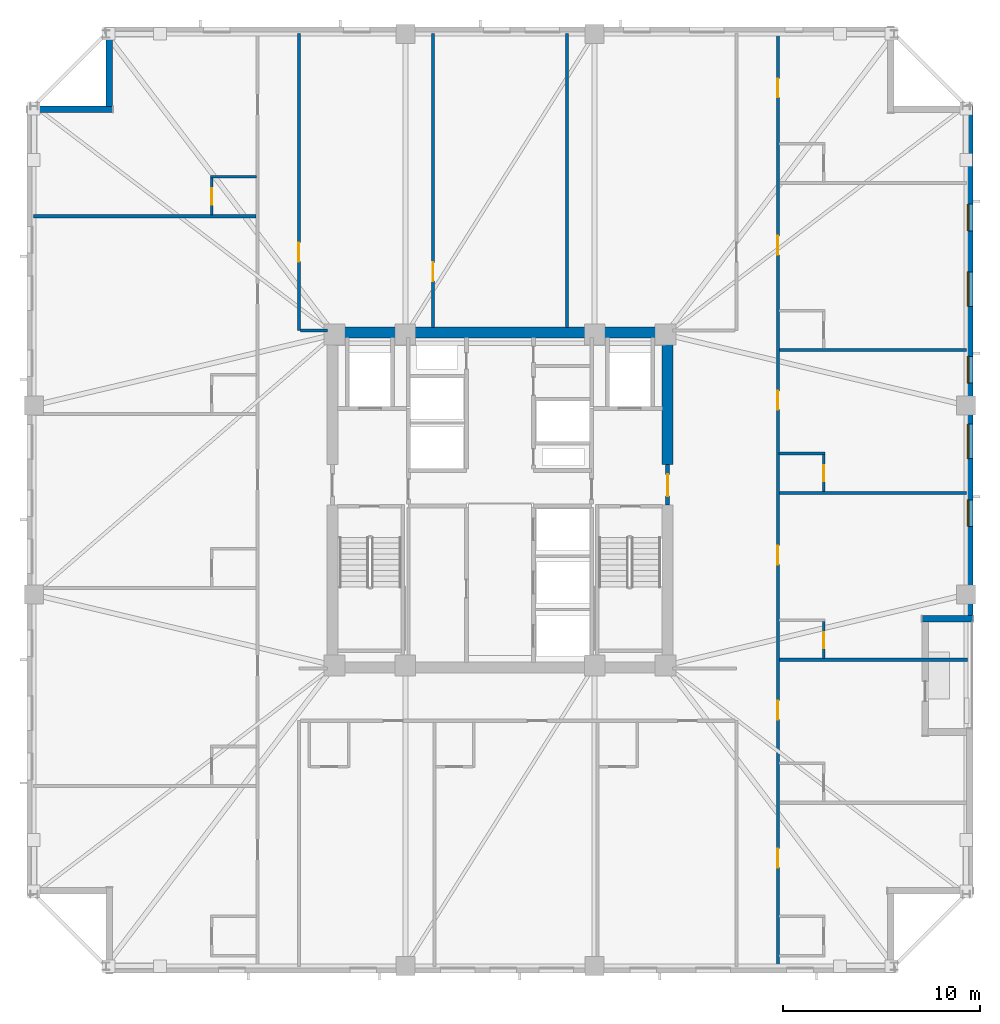
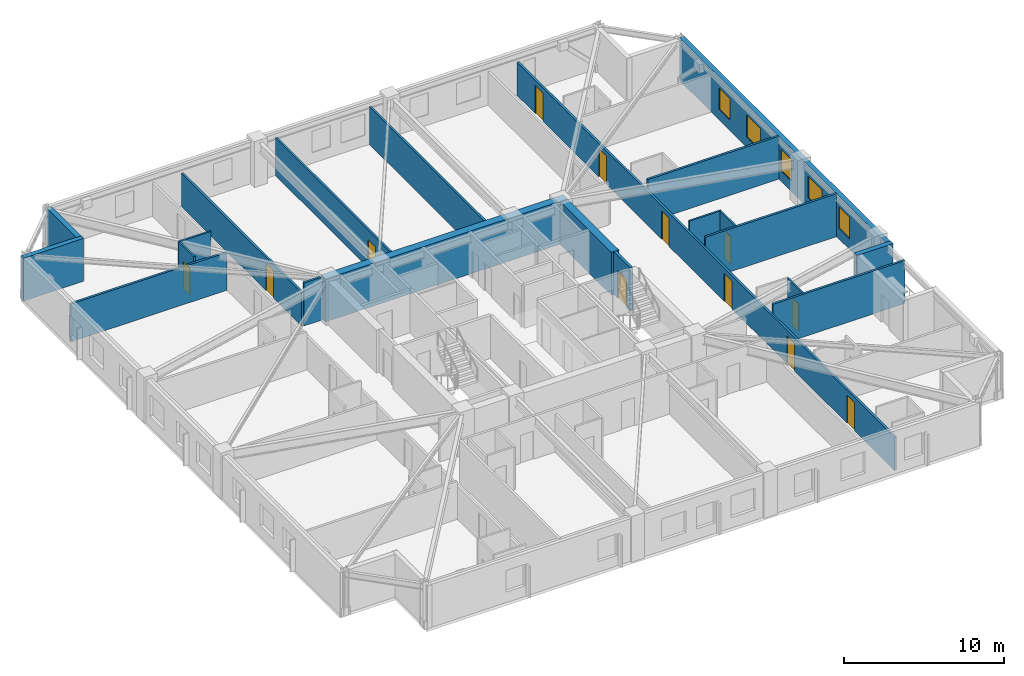
# One storey, part 5 of 11: 21 walls, 12 doors, 5 windows, 17 openings.
"""IFC4 building model written with IfcOpenShell, lengths in metres."""

from ifc_helpers import new_model, si_unit, direction, frame, frame_2d, origin, place, context, subcontext, project, spatial, rectangle, extrude, material, layer, layer_set, type_object, element, fill, save


model = new_model("IFC4")

# Units and contexts
model_context = context("Model", 3, precision=1e-05, world=origin(), true_north=direction((0.0, 1.0)))
body_context = subcontext(model_context, "Body", "Model", "MODEL_VIEW")
ifc_project = project(units=[si_unit("LENGTHUNIT", "METRE"), si_unit("AREAUNIT", "SQUARE_METRE"), si_unit("VOLUMEUNIT", "CUBIC_METRE"), si_unit("PLANEANGLEUNIT", "RADIAN"), si_unit("MASSUNIT", "GRAM", prefix="KILO")], contexts=[model_context])

# Site, building, storey
site_placement = place(None, origin())
site = spatial("IfcSite", under=ifc_project, at=site_placement, CompositionType="ELEMENT")
building_placement = place(site_placement, origin())
building = spatial("IfcBuilding", under=site, at=building_placement, Name="Cairnveth Concourse Tower", CompositionType="ELEMENT")
storey_placement = place(building_placement, frame((0.0, 0.0, 176.0)))
storey = spatial("IfcBuildingStorey", under=building, at=storey_placement, Name="L48", CompositionType="ELEMENT", Elevation=176.0)

# Wall, opening, door
ifc_material_1 = material(Name="Gypsum Plasterboard Partition", Category="gypsum")
ifc_layer_1 = layer(ifc_material_1, 0.159912109375)
ifc_layer_set_1 = layer_set([ifc_layer_1], Name="Gypsum Plasterboard Partition")
wall_type_1 = type_object("IfcWallType", Name="ACOUSTIC PARTY WALL 180", PredefinedType="PARTITIONING", material=ifc_layer_set_1)
wall_1_placement = place(storey_placement, frame((41.800048828125, 47.60009765625, 0.0), z_axis=(0.0, 0.0, 1.0), x_axis=(0.0, 1.0, 0.0)))
wall_1 = element("IfcWall", 1, at=wall_1_placement, inside=storey, type_object=wall_type_1, Name="Interior Wall IW-L48-038", PredefinedType="PARTITIONING", context=body_context, shape_type="SweptSolid", body=[
    extrude(rectangle(XDim=15.074951171875, YDim=0.159912109375, at=frame_2d((7.53759765625, 0.0))), origin(), (0.0, 0.0, 1.0), 2.554931640625),
])
opening_1_placement = place(wall_1_placement, frame((3.5, 0.0, 0.0)))
opening_1 = element("IfcOpeningElement", 2, at=opening_1_placement, cuts=wall_1, Name="Opening ID11", PredefinedType="OPENING", context=body_context, shape_type="SweptSolid", body=[
    extrude(rectangle(XDim=0.9599609375, YDim=2.1201171875, at=frame_2d((0.47998046875, 1.06005859375))), frame((0.0, 0.08984375, 0.0), z_axis=(0.0, -1.0, 0.0), x_axis=(1.0, 0.0, 0.0)), (0.0, 0.0, 1.0), 0.179931640625),
])
ifc_material_2 = material(Name="Solid Core Hardwood Timber Leaf", Category="wood")
door_type_1 = type_object("IfcDoorType", Name="INTERIOR SINGLE DOOR 960X2150", OperationType="NOTDEFINED", PredefinedType="DOOR", material=ifc_material_2)
door_1_placement = place(opening_1_placement, origin())
door_1 = element("IfcDoor", 3, at=door_1_placement, inside=storey, type_object=door_type_1, Name="Interior Door DR-L48-015", OperationType="SINGLE_SWING_LEFT", OverallHeight=2.1201171875, OverallWidth=0.9599609375, PredefinedType="DOOR", context=body_context, shape_type="SweptSolid", body=[
    extrude(rectangle(XDim=0.9599609375, YDim=2.1201171875, at=frame_2d((0.47998046875, 1.06005859375))), frame((0.0, 0.02490234375, 0.0), z_axis=(0.0, -1.0, 0.0), x_axis=(1.0, 0.0, 0.0)), (0.0, 0.0, 1.0), 0.050048828125),
])
fill(opening_1, door_1)

# Wall
wall_2_placement = place(storey_placement, frame((41.864990234375, 47.60009765625, 0.0), z_axis=(0.0, 0.0, 1.0), x_axis=(1.0, 0.0, 0.0)))
element("IfcWall", 4, at=wall_2_placement, inside=storey, type_object=wall_type_1, Name="Interior Wall IW-L48-040", PredefinedType="PARTITIONING", context=body_context, shape_type="SweptSolid", body=[
    extrude(rectangle(XDim=1.3701171875, YDim=0.159912109375, at=frame_2d((0.68505859375, 0.0))), origin(), (0.0, 0.0, 1.0), 3.280029296875),
])

# Wall, openings, doors
wall_3_placement = place(storey_placement, frame((66.10009765625, 15.324951171875, 0.0), z_axis=(0.0, 0.0, 1.0), x_axis=(0.0, 1.0, 0.0)))
wall_3 = element("IfcWall", 5, at=wall_3_placement, inside=storey, type_object=wall_type_1, Name="Interior Wall IW-L48-041", PredefinedType="PARTITIONING", context=body_context, shape_type="SweptSolid", body=[
    extrude(rectangle(XDim=47.35009765625, YDim=0.159912109375, at=frame_2d((23.675048828125, 0.0))), origin(), (0.0, 0.0, 1.0), 2.554931640625),
])
opening_2_placement = place(wall_3_placement, frame((5.024658203125, 0.0, 0.0)))
opening_2 = element("IfcOpeningElement", 6, at=opening_2_placement, cuts=wall_3, Name="Opening ID09", PredefinedType="OPENING", context=body_context, shape_type="SweptSolid", body=[
    extrude(rectangle(XDim=0.9599609375, YDim=2.14990234375, at=frame_2d((0.47998046875, 1.074951171875))), frame((0.0, 0.08984375, 0.0), z_axis=(0.0, -1.0, 0.0), x_axis=(1.0, 0.0, 0.0)), (0.0, 0.0, 1.0), 0.179931640625),
])
opening_3_placement = place(wall_3_placement, frame((12.535400390625, 0.0, 0.0)))
opening_3 = element("IfcOpeningElement", 7, at=opening_3_placement, cuts=wall_3, Name="Opening ID09", PredefinedType="OPENING", context=body_context, shape_type="SweptSolid", body=[
    extrude(rectangle(XDim=0.9599609375, YDim=2.14990234375, at=frame_2d((0.47998046875, 1.074951171875))), frame((0.0, 0.08984375, 0.0), z_axis=(0.0, -1.0, 0.0), x_axis=(1.0, 0.0, 0.0)), (0.0, 0.0, 1.0), 0.179931640625),
])
opening_4_placement = place(wall_3_placement, frame((20.395263671875, 0.0, 0.0)))
opening_4 = element("IfcOpeningElement", 8, at=opening_4_placement, cuts=wall_3, Name="Opening ID09", PredefinedType="OPENING", context=body_context, shape_type="SweptSolid", body=[
    extrude(rectangle(XDim=0.9599609375, YDim=2.14990234375, at=frame_2d((0.47998046875, 1.074951171875))), frame((0.0, 0.08984375, 0.0), z_axis=(0.0, -1.0, 0.0), x_axis=(1.0, 0.0, 0.0)), (0.0, 0.0, 1.0), 0.179931640625),
])
opening_5_placement = place(wall_3_placement, frame((28.255126953125, 0.0, 0.0)))
opening_5 = element("IfcOpeningElement", 9, at=opening_5_placement, cuts=wall_3, Name="Opening ID09", PredefinedType="OPENING", context=body_context, shape_type="SweptSolid", body=[
    extrude(rectangle(XDim=0.9599609375, YDim=2.14990234375, at=frame_2d((0.47998046875, 1.074951171875))), frame((0.0, 0.08984375, 0.0), z_axis=(0.0, -1.0, 0.0), x_axis=(1.0, 0.0, 0.0)), (0.0, 0.0, 1.0), 0.179931640625),
])
opening_6_placement = place(wall_3_placement, frame((36.115234375, 0.0, 0.0)))
opening_6 = element("IfcOpeningElement", 10, at=opening_6_placement, cuts=wall_3, Name="Opening ID09", PredefinedType="OPENING", context=body_context, shape_type="SweptSolid", body=[
    extrude(rectangle(XDim=0.9599609375, YDim=2.14990234375, at=frame_2d((0.47998046875, 1.074951171875))), frame((0.0, 0.08984375, 0.0), z_axis=(0.0, -1.0, 0.0), x_axis=(1.0, 0.0, 0.0)), (0.0, 0.0, 1.0), 0.179931640625),
])
opening_7_placement = place(wall_3_placement, frame((44.099609375, 0.0, 0.0)))
opening_7 = element("IfcOpeningElement", 11, at=opening_7_placement, cuts=wall_3, Name="Opening ID09", PredefinedType="OPENING", context=body_context, shape_type="SweptSolid", body=[
    extrude(rectangle(XDim=0.9599609375, YDim=2.14990234375, at=frame_2d((0.47998046875, 1.074951171875))), frame((0.0, 0.08984375, 0.0), z_axis=(0.0, -1.0, 0.0), x_axis=(1.0, 0.0, 0.0)), (0.0, 0.0, 1.0), 0.179931640625),
])
door_type_2 = type_object("IfcDoorType", Name="HOTEL ENTRANCE DOOR 960X2150", OperationType="NOTDEFINED", PredefinedType="DOOR", material=ifc_material_2)
door_2_placement = place(opening_2_placement, origin())
door_2 = element("IfcDoor", 12, at=door_2_placement, inside=storey, type_object=door_type_2, Name="Hotel Room Door L48-E1", OperationType="SINGLE_SWING_LEFT", OverallHeight=2.14990234375, OverallWidth=0.9599609375, PredefinedType="DOOR", context=body_context, shape_type="SweptSolid", body=[
    extrude(rectangle(XDim=0.9599609375, YDim=2.14990234375, at=frame_2d((0.47998046875, 1.074951171875))), frame((0.0, 0.02490234375, 0.0), z_axis=(0.0, -1.0, 0.0), x_axis=(1.0, 0.0, 0.0)), (0.0, 0.0, 1.0), 0.050048828125),
])
fill(opening_2, door_2)
door_3_placement = place(opening_3_placement, origin())
door_3 = element("IfcDoor", 13, at=door_3_placement, inside=storey, type_object=door_type_2, Name="Hotel Room Door L48-E2", OperationType="SINGLE_SWING_LEFT", OverallHeight=2.14990234375, OverallWidth=0.9599609375, PredefinedType="DOOR", context=body_context, shape_type="SweptSolid", body=[
    extrude(rectangle(XDim=0.9599609375, YDim=2.14990234375, at=frame_2d((0.47998046875, 1.074951171875))), frame((0.0, 0.02490234375, 0.0), z_axis=(0.0, -1.0, 0.0), x_axis=(1.0, 0.0, 0.0)), (0.0, 0.0, 1.0), 0.050048828125),
])
fill(opening_3, door_3)
door_4_placement = place(opening_4_placement, origin())
door_4 = element("IfcDoor", 14, at=door_4_placement, inside=storey, type_object=door_type_2, Name="Hotel Room Door L48-E3", OperationType="SINGLE_SWING_LEFT", OverallHeight=2.14990234375, OverallWidth=0.9599609375, PredefinedType="DOOR", context=body_context, shape_type="SweptSolid", body=[
    extrude(rectangle(XDim=0.9599609375, YDim=2.14990234375, at=frame_2d((0.47998046875, 1.074951171875))), frame((0.0, 0.02490234375, 0.0), z_axis=(0.0, -1.0, 0.0), x_axis=(1.0, 0.0, 0.0)), (0.0, 0.0, 1.0), 0.050048828125),
])
fill(opening_4, door_4)
door_5_placement = place(opening_5_placement, origin())
door_5 = element("IfcDoor", 15, at=door_5_placement, inside=storey, type_object=door_type_2, Name="Hotel Room Door L48-E4", OperationType="SINGLE_SWING_LEFT", OverallHeight=2.14990234375, OverallWidth=0.9599609375, PredefinedType="DOOR", context=body_context, shape_type="SweptSolid", body=[
    extrude(rectangle(XDim=0.9599609375, YDim=2.14990234375, at=frame_2d((0.47998046875, 1.074951171875))), frame((0.0, 0.02490234375, 0.0), z_axis=(0.0, -1.0, 0.0), x_axis=(1.0, 0.0, 0.0)), (0.0, 0.0, 1.0), 0.050048828125),
])
fill(opening_5, door_5)
door_6_placement = place(opening_6_placement, origin())
door_6 = element("IfcDoor", 16, at=door_6_placement, inside=storey, type_object=door_type_2, Name="Hotel Room Door L48-E5", OperationType="SINGLE_SWING_LEFT", OverallHeight=2.14990234375, OverallWidth=0.9599609375, PredefinedType="DOOR", context=body_context, shape_type="SweptSolid", body=[
    extrude(rectangle(XDim=0.9599609375, YDim=2.14990234375, at=frame_2d((0.47998046875, 1.074951171875))), frame((0.0, 0.02490234375, 0.0), z_axis=(0.0, -1.0, 0.0), x_axis=(1.0, 0.0, 0.0)), (0.0, 0.0, 1.0), 0.050048828125),
])
fill(opening_6, door_6)
door_7_placement = place(opening_7_placement, origin())
door_7 = element("IfcDoor", 17, at=door_7_placement, inside=storey, type_object=door_type_2, Name="Hotel Room Door L48-E6", OperationType="SINGLE_SWING_LEFT", OverallHeight=2.14990234375, OverallWidth=0.9599609375, PredefinedType="DOOR", context=body_context, shape_type="SweptSolid", body=[
    extrude(rectangle(XDim=0.9599609375, YDim=2.14990234375, at=frame_2d((0.47998046875, 1.074951171875))), frame((0.0, 0.02490234375, 0.0), z_axis=(0.0, -1.0, 0.0), x_axis=(1.0, 0.0, 0.0)), (0.0, 0.0, 1.0), 0.050048828125),
])
fill(opening_7, door_7)

# Walls
wall_4_placement = place(storey_placement, frame((28.324951171875, 53.396484375, 0.0), z_axis=(0.0, 0.0, 1.0), x_axis=(1.0, 0.0, 0.0)))
element("IfcWall", 18, at=wall_4_placement, inside=storey, type_object=wall_type_1, Name="Interior Wall IW-L48-070", PredefinedType="PARTITIONING", context=body_context, shape_type="SweptSolid", body=[
    extrude(rectangle(XDim=11.295166015625, YDim=0.159912109375, at=frame_2d((5.6474609375, 0.0))), origin(), (0.0, 0.0, 1.0), 2.89599609375),
])
wall_5_placement = place(storey_placement, frame((66.179931640625, 30.891357421875, 0.0), z_axis=(0.0, 0.0, 1.0), x_axis=(1.0, 0.0, 0.0)))
element("IfcWall", 19, at=wall_5_placement, inside=storey, type_object=wall_type_1, Name="Interior Wall IW-L48-079", PredefinedType="PARTITIONING", context=body_context, shape_type="SweptSolid", body=[
    extrude(rectangle(XDim=9.550048828125, YDim=0.159912109375, at=frame_2d((4.77490234375, 0.0))), origin(), (0.0, 0.0, 1.0), 3.280029296875),
])
for number, where, z_axis, x_axis, name in (
    (20, (66.179931640625, 39.359130859375, 0.0), (0.0, 0.0, 1.0), (1.0, 0.0, 0.0), "Interior Wall IW-L48-082"),
    (21, (66.179931640625, 46.611328125, 0.0), (0.0, 0.0, 1.0), (1.0, 0.0, 0.0), "Interior Wall IW-L48-085"),
):
    element("IfcWall", number, at=place(storey_placement, frame(where, z_axis=z_axis, x_axis=x_axis)), inside=storey, type_object=wall_type_1, Name=name, PredefinedType="PARTITIONING", context=body_context, shape_type="SweptSolid", body=[
        extrude(rectangle(XDim=9.4951171875, YDim=0.159912109375, at=frame_2d((4.74755859375, 0.0))), origin(), (0.0, 0.0, 1.0), 3.280029296875),
    ])
ifc_material_3 = material(Name="Concrete N80 (80 MPa)", Category="concrete")
ifc_layer_2 = layer(ifc_material_3, 0.550048828125)
ifc_layer_set_2 = layer_set([ifc_layer_2], Name="Concrete N80 (80 MPa)")
wall_type_2 = type_object("IfcWallType", Name="CORE SHEAR WALL 550", PredefinedType="SHEAR", material=ifc_layer_set_2)
wall_6_placement = place(storey_placement, frame((43.22509765625, 47.5, 0.0), z_axis=(0.0, 0.0, 1.0), x_axis=(1.0, 0.0, 0.0)))
element("IfcWall", 22, at=wall_6_placement, inside=storey, type_object=wall_type_2, Name="Core North Shear Wall L48", PredefinedType="SHEAR", context=body_context, shape_type="SweptSolid", body=[
    extrude(rectangle(XDim=17.5498046875, YDim=0.550048828125, at=frame_2d((8.77490234375, 0.0))), origin(), (0.0, 0.0, 1.0), 3.280029296875),
])
wall_7_placement = place(storey_placement, frame((60.5, 40.800048828125, 0.0), z_axis=(0.0, 0.0, 1.0), x_axis=(0.0, 1.0, 0.0)))
element("IfcWall", 23, at=wall_7_placement, inside=storey, type_object=wall_type_2, Name="Core East Shear Wall N L48", PredefinedType="SHEAR", context=body_context, shape_type="SweptSolid", body=[
    extrude(rectangle(XDim=6.43505859375, YDim=0.550048828125, at=frame_2d((3.217529296875, 0.0))), origin(), (0.0, 0.0, 1.0), 3.280029296875),
])

# Wall, opening, door
ifc_material_4 = material(Name="Concrete N50 (50 MPa)", Category="concrete")
ifc_layer_3 = layer(ifc_material_4, 0.199951171875)
ifc_layer_set_3 = layer_set([ifc_layer_3], Name="Concrete N50 (50 MPa)")
wall_type_3 = type_object("IfcWallType", Name="FIRE SHAFT WALL 200", PredefinedType="SOLIDWALL", material=ifc_layer_set_3)
wall_8_placement = place(storey_placement, frame((60.5, 38.75, 0.0), z_axis=(0.0, 0.0, 1.0), x_axis=(0.0, 1.0, 0.0)))
wall_8 = element("IfcWall", 24, at=wall_8_placement, inside=storey, type_object=wall_type_3, Name="Interior Wall IW-L48-020", PredefinedType="SOLIDWALL", context=body_context, shape_type="SweptSolid", body=[
    extrude(rectangle(XDim=2.050048828125, YDim=0.199951171875, at=frame_2d((1.02490234375, 0.0))), origin(), (0.0, 0.0, 1.0), 3.280029296875),
])
opening_8_placement = place(wall_8_placement, frame((0.449951171875, 0.0, 0.0)))
opening_8 = element("IfcOpeningElement", 25, at=opening_8_placement, cuts=wall_8, Name="Opening ID06", PredefinedType="OPENING", context=body_context, shape_type="SweptSolid", body=[
    extrude(rectangle(XDim=1.10009765625, YDim=2.14990234375, at=frame_2d((0.550048828125, 1.074951171875))), frame((0.0, 0.10986328125, 0.0), z_axis=(0.0, -1.0, 0.0), x_axis=(1.0, 0.0, 0.0)), (0.0, 0.0, 1.0), 0.219970703125),
])
ifc_material_5 = material(Name="Steel Grade 350", Category="steel")
door_type_3 = type_object("IfcDoorType", Name="FIRE CORRIDOR DOOR 1100X2150", OperationType="NOTDEFINED", PredefinedType="DOOR", material=ifc_material_5)
door_8_placement = place(opening_8_placement, origin())
door_8 = element("IfcDoor", 26, at=door_8_placement, inside=storey, type_object=door_type_3, Name="East Wing to FF Lobby Door L48", OperationType="SINGLE_SWING_RIGHT", OverallHeight=2.14990234375, OverallWidth=1.10009765625, PredefinedType="DOOR", context=body_context, shape_type="SweptSolid", body=[
    extrude(rectangle(XDim=1.10009765625, YDim=2.14990234375, at=frame_2d((0.550048828125, 1.074951171875))), frame((0.0, 0.02490234375, 0.0), z_axis=(0.0, -1.0, 0.0), x_axis=(1.0, 0.0, 0.0)), (0.0, 0.0, 1.0), 0.050048828125),
])
fill(opening_8, door_8)

ifc_layer_4 = layer(ifc_material_1, 0.139892578125)
ifc_layer_set_4 = layer_set([ifc_layer_4], Name="Gypsum Plasterboard Partition")
wall_type_4 = type_object("IfcWallType", Name="GYPSUM STUD PARTITION 140", PredefinedType="PARTITIONING", material=ifc_layer_set_4)
wall_9_placement = place(storey_placement, frame((48.60009765625, 47.760009765625, 0.0), z_axis=(0.0, 0.0, 1.0), x_axis=(0.0, 1.0, 0.0)))
wall_9 = element("IfcWall", 27, at=wall_9_placement, inside=storey, type_object=wall_type_4, Name="Interior Wall IW-L48-047", PredefinedType="PARTITIONING", context=body_context, shape_type="SweptSolid", body=[
    extrude(rectangle(XDim=14.9150390625, YDim=0.139892578125, at=frame_2d((7.45751953125, 0.0))), origin(), (0.0, 0.0, 1.0), 2.89599609375),
])
opening_9_placement = place(wall_9_placement, frame((2.340087890625, 0.0, 0.0)))
opening_9 = element("IfcOpeningElement", 28, at=opening_9_placement, cuts=wall_9, Name="Opening ID11", PredefinedType="OPENING", context=body_context, shape_type="SweptSolid", body=[
    extrude(rectangle(XDim=0.9599609375, YDim=2.1201171875, at=frame_2d((0.47998046875, 1.06005859375))), frame((0.0, 0.079833984375, 0.0), z_axis=(0.0, -1.0, 0.0), x_axis=(1.0, 0.0, 0.0)), (0.0, 0.0, 1.0), 0.159912109375),
])
door_9_placement = place(opening_9_placement, origin())
door_9 = element("IfcDoor", 29, at=door_9_placement, inside=storey, type_object=door_type_1, Name="Interior Door DR-L48-017", OperationType="SINGLE_SWING_LEFT", OverallHeight=2.1201171875, OverallWidth=0.9599609375, PredefinedType="DOOR", context=body_context, shape_type="SweptSolid", body=[
    extrude(rectangle(XDim=0.9599609375, YDim=2.1201171875, at=frame_2d((0.47998046875, 1.06005859375))), frame((0.0, 0.02490234375, 0.0), z_axis=(0.0, -1.0, 0.0), x_axis=(1.0, 0.0, 0.0)), (0.0, 0.0, 1.0), 0.050048828125),
])
fill(opening_9, door_9)

# Walls
wall_10_placement = place(storey_placement, frame((55.39990234375, 47.760009765625, 0.0), z_axis=(0.0, 0.0, 1.0), x_axis=(0.0, 1.0, 0.0)))
element("IfcWall", 30, at=wall_10_placement, inside=storey, type_object=wall_type_4, Name="Interior Wall IW-L48-048", PredefinedType="PARTITIONING", context=body_context, shape_type="SweptSolid", body=[
    extrude(rectangle(XDim=14.9150390625, YDim=0.139892578125, at=frame_2d((7.45751953125, 0.0))), origin(), (0.0, 0.0, 1.0), 2.89599609375),
])
ifc_layer_5 = layer(ifc_material_1, 0.1298828125)
ifc_layer_set_5 = layer_set([ifc_layer_5], Name="Gypsum Plasterboard Partition")
wall_type_5 = type_object("IfcWallType", Name="WET AREA PARTITION 140", PredefinedType="PLUMBINGWALL", material=ifc_layer_set_5)
wall_11_placement = place(storey_placement, frame((37.320068359375, 55.396484375, 0.0), z_axis=(0.0, 0.0, 1.0), x_axis=(1.0, 0.0, 0.0)))
element("IfcWall", 31, at=wall_11_placement, inside=storey, type_object=wall_type_5, Name="Interior Wall IW-L48-071", PredefinedType="PLUMBINGWALL", context=body_context, shape_type="SweptSolid", body=[
    extrude(rectangle(XDim=2.31494140625, YDim=0.1298828125, at=frame_2d((1.157470703125, 0.0))), origin(), (0.0, 0.0, 1.0), 3.280029296875),
])

# Wall, opening, door
wall_12_placement = place(storey_placement, frame((37.3701171875, 53.461669921875, 0.0), z_axis=(0.0, 0.0, 1.0), x_axis=(0.0, 1.0, 0.0)))
wall_12 = element("IfcWall", 32, at=wall_12_placement, inside=storey, type_object=wall_type_5, Name="Interior Wall IW-L48-072", PredefinedType="PLUMBINGWALL", context=body_context, shape_type="SweptSolid", body=[
    extrude(rectangle(XDim=1.885009765625, YDim=0.1298828125, at=frame_2d((0.9423828125, 0.0))), origin(), (0.0, 0.0, 1.0), 3.280029296875),
])
opening_10_placement = place(wall_12_placement, frame((0.52490234375, 0.0, 0.0)))
opening_10 = element("IfcOpeningElement", 33, at=opening_10_placement, cuts=wall_12, Name="Opening ID22", PredefinedType="OPENING", context=body_context, shape_type="SweptSolid", body=[
    extrude(rectangle(XDim=0.820068359375, YDim=2.10009765625, at=frame_2d((0.41015625, 1.050048828125))), frame((0.0, 0.074951171875, 0.0), z_axis=(0.0, -1.0, 0.0), x_axis=(1.0, 0.0, 0.0)), (0.0, 0.0, 1.0), 0.14990234375),
])
door_type_4 = type_object("IfcDoorType", Name="INTERIOR WC DOOR 820X2100", OperationType="NOTDEFINED", PredefinedType="DOOR", material=ifc_material_2)
door_10_placement = place(opening_10_placement, origin())
door_10 = element("IfcDoor", 34, at=door_10_placement, inside=storey, type_object=door_type_4, Name="En-Suite Door L48-W5", OperationType="SINGLE_SWING_RIGHT", OverallHeight=2.10009765625, OverallWidth=0.820068359375, PredefinedType="DOOR", context=body_context, shape_type="SweptSolid", body=[
    extrude(rectangle(XDim=0.820068359375, YDim=2.10009765625, at=frame_2d((0.41015625, 1.050048828125))), frame((0.0, 0.02490234375, 0.0), z_axis=(0.0, -1.0, 0.0), x_axis=(1.0, 0.0, 0.0)), (0.0, 0.0, 1.0), 0.050048828125),
])
fill(opening_10, door_10)

wall_13_placement = place(storey_placement, frame((68.429931640625, 30.956298828125, 0.0), z_axis=(0.0, 0.0, 1.0), x_axis=(0.0, 1.0, 0.0)))
wall_13 = element("IfcWall", 35, at=wall_13_placement, inside=storey, type_object=wall_type_5, Name="Interior Wall IW-L48-081", PredefinedType="PLUMBINGWALL", context=body_context, shape_type="SweptSolid", body=[
    extrude(rectangle(XDim=1.885009765625, YDim=0.1298828125, at=frame_2d((0.9423828125, 0.0))), origin(), (0.0, 0.0, 1.0), 3.280029296875),
])
opening_11_placement = place(wall_13_placement, frame((0.52490234375, 0.0, 0.0)))
opening_11 = element("IfcOpeningElement", 36, at=opening_11_placement, cuts=wall_13, Name="Opening ID22", PredefinedType="OPENING", context=body_context, shape_type="SweptSolid", body=[
    extrude(rectangle(XDim=0.820068359375, YDim=2.10009765625, at=frame_2d((0.41015625, 1.050048828125))), frame((0.0, 0.074951171875, 0.0), z_axis=(0.0, -1.0, 0.0), x_axis=(1.0, 0.0, 0.0)), (0.0, 0.0, 1.0), 0.14990234375),
])
door_11_placement = place(opening_11_placement, origin())
door_11 = element("IfcDoor", 37, at=door_11_placement, inside=storey, type_object=door_type_4, Name="En-Suite Door L48-E3", OperationType="SINGLE_SWING_RIGHT", OverallHeight=2.10009765625, OverallWidth=0.820068359375, PredefinedType="DOOR", context=body_context, shape_type="SweptSolid", body=[
    extrude(rectangle(XDim=0.820068359375, YDim=2.10009765625, at=frame_2d((0.41015625, 1.050048828125))), frame((0.0, 0.02490234375, 0.0), z_axis=(0.0, -1.0, 0.0), x_axis=(1.0, 0.0, 0.0)), (0.0, 0.0, 1.0), 0.050048828125),
])
fill(opening_11, door_11)

# Wall
wall_14_placement = place(storey_placement, frame((66.1650390625, 41.359130859375, 0.0), z_axis=(0.0, 0.0, 1.0), x_axis=(1.0, 0.0, 0.0)))
element("IfcWall", 38, at=wall_14_placement, inside=storey, type_object=wall_type_5, Name="Interior Wall IW-L48-083", PredefinedType="PLUMBINGWALL", context=body_context, shape_type="SweptSolid", body=[
    extrude(rectangle(XDim=2.31494140625, YDim=0.1298828125, at=frame_2d((1.157470703125, 0.0))), origin(), (0.0, 0.0, 1.0), 3.280029296875),
])

# Wall, opening, door
wall_15_placement = place(storey_placement, frame((68.429931640625, 39.424072265625, 0.0), z_axis=(0.0, 0.0, 1.0), x_axis=(0.0, 1.0, 0.0)))
wall_15 = element("IfcWall", 39, at=wall_15_placement, inside=storey, type_object=wall_type_5, Name="Interior Wall IW-L48-084", PredefinedType="PLUMBINGWALL", context=body_context, shape_type="SweptSolid", body=[
    extrude(rectangle(XDim=1.885009765625, YDim=0.1298828125, at=frame_2d((0.9423828125, 0.0))), origin(), (0.0, 0.0, 1.0), 3.280029296875),
])
opening_12_placement = place(wall_15_placement, frame((0.52490234375, 0.0, 0.0)))
opening_12 = element("IfcOpeningElement", 40, at=opening_12_placement, cuts=wall_15, Name="Opening ID22", PredefinedType="OPENING", context=body_context, shape_type="SweptSolid", body=[
    extrude(rectangle(XDim=0.820068359375, YDim=2.10009765625, at=frame_2d((0.41015625, 1.050048828125))), frame((0.0, 0.074951171875, 0.0), z_axis=(0.0, -1.0, 0.0), x_axis=(1.0, 0.0, 0.0)), (0.0, 0.0, 1.0), 0.14990234375),
])
door_12_placement = place(opening_12_placement, origin())
door_12 = element("IfcDoor", 41, at=door_12_placement, inside=storey, type_object=door_type_4, Name="En-Suite Door L48-E4", OperationType="SINGLE_SWING_RIGHT", OverallHeight=2.10009765625, OverallWidth=0.820068359375, PredefinedType="DOOR", context=body_context, shape_type="SweptSolid", body=[
    extrude(rectangle(XDim=0.820068359375, YDim=2.10009765625, at=frame_2d((0.41015625, 1.050048828125))), frame((0.0, 0.02490234375, 0.0), z_axis=(0.0, -1.0, 0.0), x_axis=(1.0, 0.0, 0.0)), (0.0, 0.0, 1.0), 0.050048828125),
])
fill(opening_12, door_12)

# Walls
ifc_material_6 = material(Name="Hawthorn Red-Ochre Fired Clay Brick Masonry", Category="masonry")
ifc_layer_6 = layer(ifc_material_6, 0.340087890625)
ifc_layer_set_6 = layer_set([ifc_layer_6], Name="Hawthorn Red-Ochre Fired Clay Brick Masonry")
wall_type_6 = type_object("IfcWallType", Name="ZONE 2 BRICK PIER SPANDREL WALL 340", PredefinedType="SOLIDWALL", material=ifc_layer_set_6)
wall_16_placement = place(storey_placement, frame((28.0, 58.830078125, 0.0), z_axis=(0.0, 0.0, 1.0), x_axis=(1.0, 0.0, 0.0)))
element("IfcWall", 42, at=wall_16_placement, inside=storey, type_object=wall_type_6, Name="Exterior Wall EW-L48-S07", PredefinedType="SOLIDWALL", context=body_context, shape_type="SweptSolid", body=[
    extrude(rectangle(XDim=4.340087890625, YDim=0.340087890625, at=frame_2d((2.169921875, 0.0))), origin(), (0.0, 0.0, 1.0), 3.280029296875),
])
wall_17_placement = place(storey_placement, frame((32.169921875, 58.97802734375, 0.0), z_axis=(0.0, 0.0, 1.0), x_axis=(0.0, 1.0, 0.0)))
element("IfcWall", 43, at=wall_17_placement, inside=storey, type_object=wall_type_6, Name="Exterior Wall EW-L48-S08", PredefinedType="SOLIDWALL", context=body_context, shape_type="SweptSolid", body=[
    extrude(rectangle(XDim=3.703857421875, YDim=0.340087890625, at=frame_2d((1.85205078125, 0.0))), origin(), (0.0, 0.0, 1.0), 3.280029296875),
])

# Wall, openings, windows
wall_18_placement = place(storey_placement, frame((75.830078125, 59.0, 0.0), z_axis=(0.0, 0.0, 1.0), x_axis=(0.0, -1.0, 0.0)))
wall_18 = element("IfcWall", 44, at=wall_18_placement, inside=storey, type_object=wall_type_6, Name="Exterior Wall EW-L48-S12", PredefinedType="SOLIDWALL", context=body_context, shape_type="SweptSolid", body=[
    extrude(rectangle(XDim=25.882080078125, YDim=0.340087890625, at=frame_2d((12.94091796875, 0.0))), origin(), (0.0, 0.0, 1.0), 3.280029296875),
])
opening_13_placement = place(wall_18_placement, frame((4.9931640625, 0.0, 0.800048828125)))
opening_13 = element("IfcOpeningElement", 45, at=opening_13_placement, cuts=wall_18, Name="Opening W02", PredefinedType="OPENING", context=body_context, shape_type="SweptSolid", body=[
    extrude(rectangle(XDim=1.35009765625, YDim=1.659912109375, at=frame_2d((0.675048828125, 0.830078125))), frame((0.0, 0.179931640625, 0.0), z_axis=(0.0, -1.0, 0.0), x_axis=(1.0, 0.0, 0.0)), (0.0, 0.0, 1.0), 0.360107421875),
])
opening_14_placement = place(wall_18_placement, frame((8.4296875, 0.0, 0.800048828125)))
opening_14 = element("IfcOpeningElement", 46, at=opening_14_placement, cuts=wall_18, Name="Opening W06", PredefinedType="OPENING", context=body_context, shape_type="SweptSolid", body=[
    extrude(rectangle(XDim=1.75, YDim=1.659912109375, at=frame_2d((0.875, 0.830078125))), frame((0.0, 0.179931640625, 0.0), z_axis=(0.0, -1.0, 0.0), x_axis=(1.0, 0.0, 0.0)), (0.0, 0.0, 1.0), 0.360107421875),
])
opening_15_placement = place(wall_18_placement, frame((12.716064453125, 0.0, 0.800048828125)))
opening_15 = element("IfcOpeningElement", 47, at=opening_15_placement, cuts=wall_18, Name="Opening W02", PredefinedType="OPENING", context=body_context, shape_type="SweptSolid", body=[
    extrude(rectangle(XDim=1.35009765625, YDim=1.659912109375, at=frame_2d((0.675048828125, 0.830078125))), frame((0.0, 0.179931640625, 0.0), z_axis=(0.0, -1.0, 0.0), x_axis=(1.0, 0.0, 0.0)), (0.0, 0.0, 1.0), 0.360107421875),
])
opening_16_placement = place(wall_18_placement, frame((16.15234375, 0.0, 0.800048828125)))
opening_16 = element("IfcOpeningElement", 48, at=opening_16_placement, cuts=wall_18, Name="Opening W06", PredefinedType="OPENING", context=body_context, shape_type="SweptSolid", body=[
    extrude(rectangle(XDim=1.75, YDim=1.659912109375, at=frame_2d((0.875, 0.830078125))), frame((0.0, 0.179931640625, 0.0), z_axis=(0.0, -1.0, 0.0), x_axis=(1.0, 0.0, 0.0)), (0.0, 0.0, 1.0), 0.360107421875),
])
opening_17_placement = place(wall_18_placement, frame((19.98876953125, 0.0, 0.800048828125)))
opening_17 = element("IfcOpeningElement", 49, at=opening_17_placement, cuts=wall_18, Name="Opening W02", PredefinedType="OPENING", context=body_context, shape_type="SweptSolid", body=[
    extrude(rectangle(XDim=1.35009765625, YDim=1.659912109375, at=frame_2d((0.675048828125, 0.830078125))), frame((0.0, 0.179931640625, 0.0), z_axis=(0.0, -1.0, 0.0), x_axis=(1.0, 0.0, 0.0)), (0.0, 0.0, 1.0), 0.360107421875),
])
ifc_material_7 = material(Name="Double Glazed Low-E Clear Glass", Category="glass")
window_type_1 = type_object("IfcWindowType", Name="DEEP-SET GOTHIC LANCET WINDOW 1350X1800", PartitioningType="DOUBLE_PANEL_VERTICAL", PredefinedType="WINDOW", material=ifc_material_7)
window_1_placement = place(opening_13_placement, origin())
window_1 = element("IfcWindow", 50, at=window_1_placement, inside=storey, type_object=window_type_1, Name="Gothic Lancet Window L48-12-1", OverallHeight=1.659912109375, OverallWidth=1.35009765625, PartitioningType="SINGLE_PANEL", PredefinedType="WINDOW", context=body_context, shape_type="SweptSolid", body=[
    extrude(rectangle(XDim=1.35009765625, YDim=1.659912109375, at=frame_2d((0.675048828125, 0.830078125))), frame((0.0, -0.050048828125, 0.0), z_axis=(0.0, -1.0, 0.0), x_axis=(1.0, 0.0, 0.0)), (0.0, 0.0, 1.0), 0.06005859375),
])
fill(opening_13, window_1)
window_2_placement = place(opening_15_placement, origin())
window_2 = element("IfcWindow", 51, at=window_2_placement, inside=storey, type_object=window_type_1, Name="Gothic Lancet Window L48-12-3", OverallHeight=1.659912109375, OverallWidth=1.35009765625, PartitioningType="SINGLE_PANEL", PredefinedType="WINDOW", context=body_context, shape_type="SweptSolid", body=[
    extrude(rectangle(XDim=1.35009765625, YDim=1.659912109375, at=frame_2d((0.675048828125, 0.830078125))), frame((0.0, -0.050048828125, 0.0), z_axis=(0.0, -1.0, 0.0), x_axis=(1.0, 0.0, 0.0)), (0.0, 0.0, 1.0), 0.06005859375),
])
fill(opening_15, window_2)
window_3_placement = place(opening_17_placement, origin())
window_3 = element("IfcWindow", 52, at=window_3_placement, inside=storey, type_object=window_type_1, Name="Gothic Lancet Window L48-12-5", OverallHeight=1.659912109375, OverallWidth=1.35009765625, PartitioningType="SINGLE_PANEL", PredefinedType="WINDOW", context=body_context, shape_type="SweptSolid", body=[
    extrude(rectangle(XDim=1.35009765625, YDim=1.659912109375, at=frame_2d((0.675048828125, 0.830078125))), frame((0.0, -0.050048828125, 0.0), z_axis=(0.0, -1.0, 0.0), x_axis=(1.0, 0.0, 0.0)), (0.0, 0.0, 1.0), 0.06005859375),
])
fill(opening_17, window_3)
window_type_2 = type_object("IfcWindowType", Name="DEEP-SET HOTEL SUITE WINDOW 1750X1800", PartitioningType="DOUBLE_PANEL_VERTICAL", PredefinedType="WINDOW", material=ifc_material_7)
window_4_placement = place(opening_14_placement, origin())
window_4 = element("IfcWindow", 53, at=window_4_placement, inside=storey, type_object=window_type_2, Name="Gothic Lancet Window L48-12-2", OverallHeight=1.659912109375, OverallWidth=1.75, PartitioningType="SINGLE_PANEL", PredefinedType="WINDOW", context=body_context, shape_type="SweptSolid", body=[
    extrude(rectangle(XDim=1.75, YDim=1.659912109375, at=frame_2d((0.875, 0.830078125))), frame((0.0, -0.050048828125, 0.0), z_axis=(0.0, -1.0, 0.0), x_axis=(1.0, 0.0, 0.0)), (0.0, 0.0, 1.0), 0.06005859375),
])
fill(opening_14, window_4)
window_5_placement = place(opening_16_placement, origin())
window_5 = element("IfcWindow", 54, at=window_5_placement, inside=storey, type_object=window_type_2, Name="Gothic Lancet Window L48-12-4", OverallHeight=1.659912109375, OverallWidth=1.75, PartitioningType="SINGLE_PANEL", PredefinedType="WINDOW", context=body_context, shape_type="SweptSolid", body=[
    extrude(rectangle(XDim=1.75, YDim=1.659912109375, at=frame_2d((0.875, 0.830078125))), frame((0.0, -0.050048828125, 0.0), z_axis=(0.0, -1.0, 0.0), x_axis=(1.0, 0.0, 0.0)), (0.0, 0.0, 1.0), 0.06005859375),
])
fill(opening_16, window_5)

# Wall
wall_19_placement = place(storey_placement, frame((76.0, 32.969970703125, 0.0), z_axis=(0.0, 0.0, 1.0), x_axis=(-1.0, 0.0, 0.0)))
element("IfcWall", 55, at=wall_19_placement, inside=storey, type_object=wall_type_6, Name="Exterior Wall EW-L48-S13", PredefinedType="SOLIDWALL", context=body_context, shape_type="SweptSolid", body=[
    extrude(rectangle(XDim=2.590087890625, YDim=0.340087890625, at=frame_2d((1.294921875, 0.0))), origin(), (0.0, 0.0, 1.0), 3.280029296875),
])

save(model, "model.ifc")
